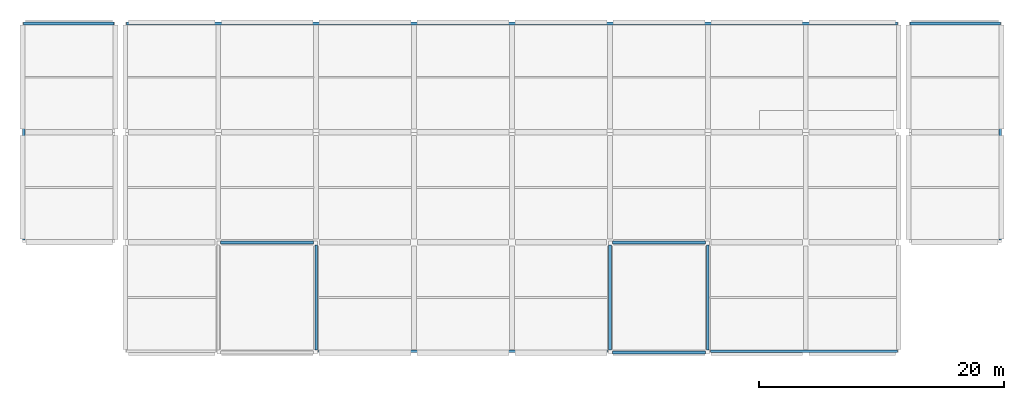
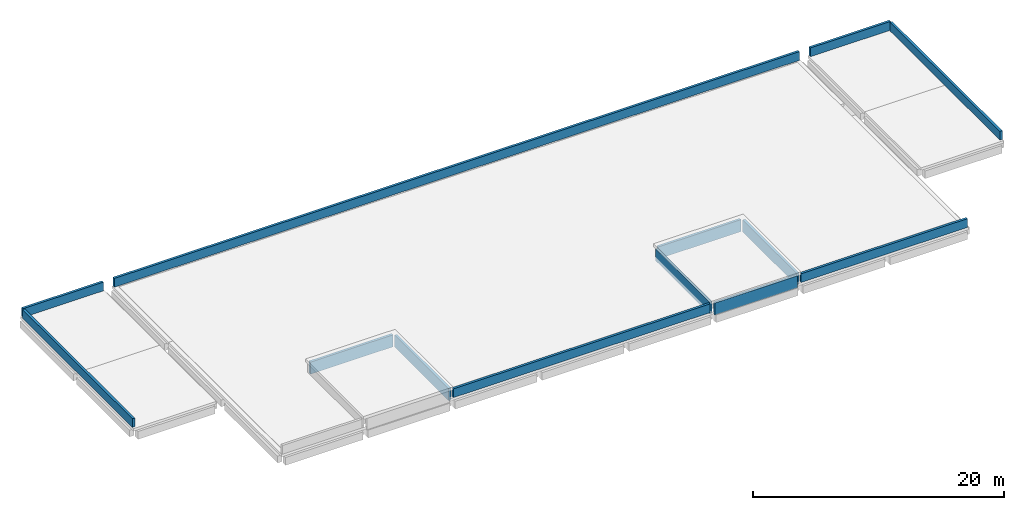
# One storey, part 2 of 3: 13 walls.
"""IFC4 building model written with IfcOpenShell, lengths in metres."""

from ifc_helpers import new_model, si_unit, direction, frame, frame_2d, origin, place, context, subcontext, project, spatial, rectangle, extrude, material, layer, layer_set, type_object, element, save


model = new_model("IFC4")

# Units and contexts
model_context = context("Model", 3, precision=1e-05, world=origin(), true_north=direction((0.0, 1.0)))
body_context = subcontext(model_context, "Body", "Model", "MODEL_VIEW")
ifc_project = project(units=[si_unit("LENGTHUNIT", "METRE"), si_unit("AREAUNIT", "SQUARE_METRE"), si_unit("VOLUMEUNIT", "CUBIC_METRE"), si_unit("PLANEANGLEUNIT", "RADIAN"), si_unit("MASSUNIT", "GRAM", prefix="KILO"), si_unit("THERMODYNAMICTEMPERATUREUNIT", "KELVIN"), si_unit("POWERUNIT", "WATT")], contexts=[model_context])

# Site, building, storey
site_placement = place(None, origin())
site = spatial("IfcSite", under=ifc_project, at=site_placement, CompositionType="ELEMENT")
building_placement = place(site_placement, origin())
building = spatial("IfcBuilding", under=site, at=building_placement, Name="Kronsvod Quay Wholesale Market", CompositionType="ELEMENT")
storey_placement = place(building_placement, frame((0.0, 0.0, 17.10009765625)))
storey = spatial("IfcBuildingStorey", under=building, at=storey_placement, Name="Roof", CompositionType="ELEMENT", Elevation=17.10009765625)

# Walls
ifc_material_1 = material(Name="Concrete C35/45", Category="concrete")
ifc_layer_1 = layer(ifc_material_1, 0.22509765625)
ifc_layer_set_1 = layer_set([ifc_layer_1], Name="Concrete C35/45")
wall_type_1 = type_object("IfcWallType", Name="Wall_OverrunWall225", PredefinedType="SHEAR", material=ifc_layer_set_1)
wall_1_placement = place(storey_placement, frame((72.199951171875, 108.0, -0.300048828125), z_axis=(0.0, 0.0, 1.0), x_axis=(1.0, 0.0, 0.0)))
element("IfcWall", 1, at=wall_1_placement, inside=storey, type_object=wall_type_1, Name="OW-C08-N", PredefinedType="SHEAR", context=body_context, shape_type="SweptSolid", body=[
    extrude(rectangle(XDim=7.60009765625, YDim=0.22509765625, at=frame_2d((3.800048828125, 0.0))), origin(), (0.0, 0.0, 1.0), 1.1650390625),
])
wall_2_placement = place(storey_placement, frame((80.0, 99.199951171875, -0.300048828125), z_axis=(0.0, 0.0, 1.0), x_axis=(0.0, 1.0, 0.0)))
element("IfcWall", 2, at=wall_2_placement, inside=storey, type_object=wall_type_1, Name="OW-C08-E", PredefinedType="SHEAR", context=body_context, shape_type="SweptSolid", body=[
    extrude(rectangle(XDim=8.60009765625, YDim=0.22509765625, at=frame_2d((4.300048828125, 0.0))), origin(), (0.0, 0.0, 1.0), 1.1650390625),
])
for number, where, z_axis, x_axis, name in (
    (3, (104.199951171875, 99.0, -0.300048828125), (0.0, 0.0, 1.0), (1.0, 0.0, 0.0), "OW-C09-S"),
    (4, (104.199951171875, 108.0, -0.300048828125), (0.0, 0.0, 1.0), (1.0, 0.0, 0.0), "OW-C09-N"),
):
    element("IfcWall", number, at=place(storey_placement, frame(where, z_axis=z_axis, x_axis=x_axis)), inside=storey, type_object=wall_type_1, Name=name, PredefinedType="SHEAR", context=body_context, shape_type="SweptSolid", body=[
        extrude(rectangle(XDim=7.60009765625, YDim=0.22509765625, at=frame_2d((3.800048828125, 0.0))), origin(), (0.0, 0.0, 1.0), 1.1650390625),
    ])
for number, where, z_axis, x_axis, name in (
    (5, (104.0, 99.199951171875, -0.300048828125), (0.0, 0.0, 1.0), (0.0, 1.0, 0.0), "OW-C09-W"),
    (6, (112.0, 99.199951171875, -0.300048828125), (0.0, 0.0, 1.0), (0.0, 1.0, 0.0), "OW-C09-E"),
):
    element("IfcWall", number, at=place(storey_placement, frame(where, z_axis=z_axis, x_axis=x_axis)), inside=storey, type_object=wall_type_1, Name=name, PredefinedType="SHEAR", context=body_context, shape_type="SweptSolid", body=[
        extrude(rectangle(XDim=8.60009765625, YDim=0.22509765625, at=frame_2d((4.300048828125, 0.0))), origin(), (0.0, 0.0, 1.0), 1.1650390625),
    ])
ifc_material_2 = material(Name="Precast concrete C40/50", Category="concrete")
ifc_layer_2 = layer(ifc_material_2, 0.219970703125)
ifc_layer_set_2 = layer_set([ifc_layer_2], Name="Precast concrete C40/50")
wall_type_2 = type_object("IfcWallType", Name="Wall_Parapet220", PredefinedType="PARAPET", material=ifc_layer_set_2)
wall_3_placement = place(storey_placement, frame((64.5, 125.889892578125, 0.0), z_axis=(0.0, 0.0, 1.0), x_axis=(1.0, 0.0, 0.0)))
element("IfcWall", 7, at=wall_3_placement, inside=storey, type_object=wall_type_2, Name="PRP-RF-NC", PredefinedType="PARAPET", context=body_context, shape_type="SweptSolid", body=[
    extrude(rectangle(XDim=63.0, YDim=0.219970703125, at=frame_2d((31.5, 0.0))), origin(), (0.0, 0.0, 1.0), 0.849853515625),
])
for number, where, z_axis, x_axis, name in (
    (8, (56.10009765625, 125.889892578125, 0.0), (0.0, 0.0, 1.0), (1.0, 0.0, 0.0), "PRP-RF-NW"),
    (9, (128.5, 125.889892578125, 0.0), (0.0, 0.0, 1.0), (1.0, 0.0, 0.0), "PRP-RF-NE"),
):
    element("IfcWall", number, at=place(storey_placement, frame(where, z_axis=z_axis, x_axis=x_axis)), inside=storey, type_object=wall_type_2, Name=name, PredefinedType="PARAPET", context=body_context, shape_type="SweptSolid", body=[
        extrude(rectangle(XDim=7.39990234375, YDim=0.219970703125, at=frame_2d((3.699951171875, 0.0))), origin(), (0.0, 0.0, 1.0), 0.849853515625),
    ])
wall_4_placement = place(storey_placement, frame((80.199951171875, 99.110107421875, 0.0), z_axis=(0.0, 0.0, 1.0), x_axis=(1.0, 0.0, 0.0)))
element("IfcWall", 10, at=wall_4_placement, inside=storey, type_object=wall_type_2, Name="PRP-RF-S2B", PredefinedType="PARAPET", context=body_context, shape_type="SweptSolid", body=[
    extrude(rectangle(XDim=23.60009765625, YDim=0.219970703125, at=frame_2d((11.800048828125, 0.0))), origin(), (0.0, 0.0, 1.0), 0.849853515625),
])
wall_5_placement = place(storey_placement, frame((112.199951171875, 99.110107421875, 0.0), z_axis=(0.0, 0.0, 1.0), x_axis=(1.0, 0.0, 0.0)))
element("IfcWall", 11, at=wall_5_placement, inside=storey, type_object=wall_type_2, Name="PRP-RF-S2C", PredefinedType="PARAPET", context=body_context, shape_type="SweptSolid", body=[
    extrude(rectangle(XDim=15.300048828125, YDim=0.219970703125, at=frame_2d((7.64990234375, 0.0))), origin(), (0.0, 0.0, 1.0), 0.849853515625),
])
for number, where, z_axis, x_axis, name in (
    (12, (56.110107421875, 108.199951171875, 0.0), (0.0, 0.0, 1.0), (0.0, 1.0, 0.0), "PRP-RF-WC"),
    (13, (135.889892578125, 108.199951171875, 0.0), (0.0, 0.0, 1.0), (0.0, 1.0, 0.0), "PRP-RF-EC"),
):
    element("IfcWall", number, at=place(storey_placement, frame(where, z_axis=z_axis, x_axis=x_axis)), inside=storey, type_object=wall_type_2, Name=name, PredefinedType="PARAPET", context=body_context, shape_type="SweptSolid", body=[
        extrude(rectangle(XDim=17.5, YDim=0.219970703125, at=frame_2d((8.75, 0.0))), origin(), (0.0, 0.0, 1.0), 0.849853515625),
    ])

save(model, "model.ifc")
